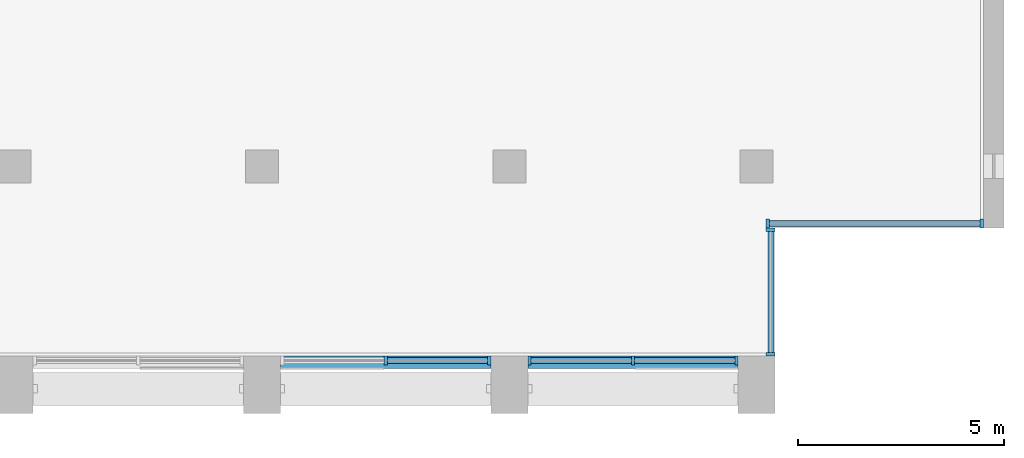
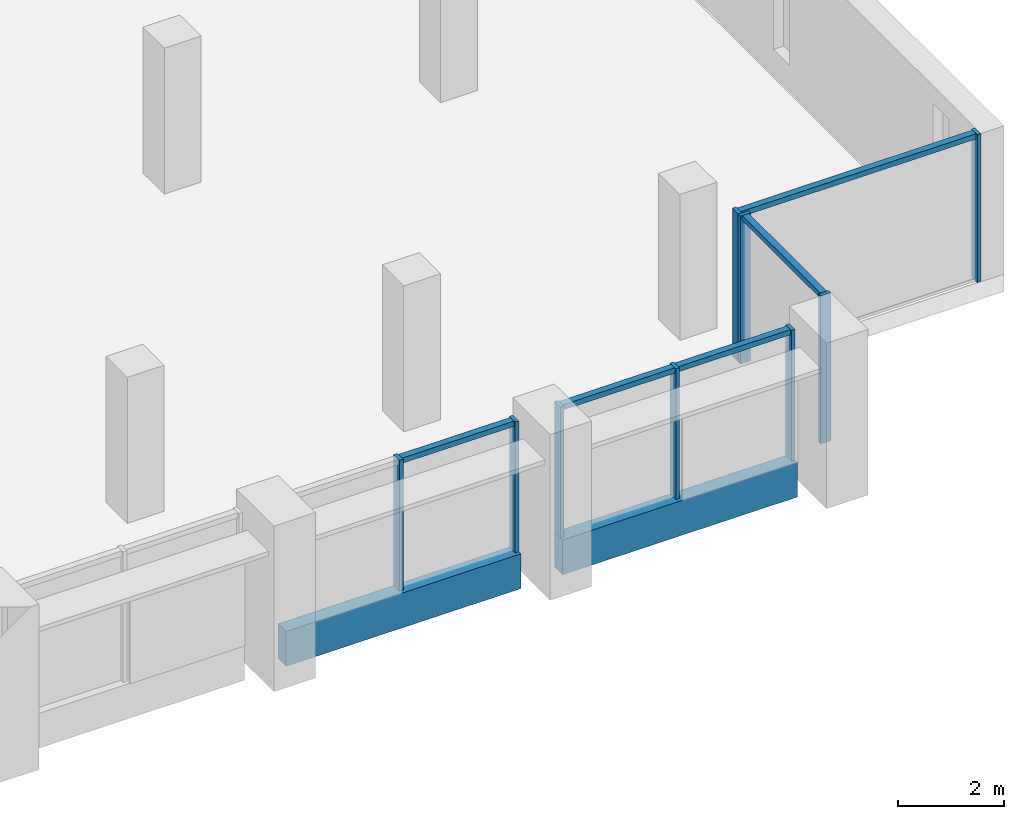
# One storey, part 3 of 14: 14 members, 2 beams, 4 elements without a shape of their own.
"""IFC4 building model written with IfcOpenShell, lengths in metres."""

from ifc_helpers import new_model, si_unit, direction, frame, origin, origin_2d, place, context, subcontext, project, spatial, rectangle, extrude, material, material_profile, profile_set, type_object, element, aggregate, save


model = new_model("IFC4")

# Units and contexts
model_context = context("Model", 3, precision=1e-05, world=origin(), true_north=direction((0.0, 1.0)))
body_context = subcontext(model_context, "Body", "Model", "MODEL_VIEW")
ifc_project = project(units=[si_unit("LENGTHUNIT", "METRE"), si_unit("AREAUNIT", "SQUARE_METRE"), si_unit("VOLUMEUNIT", "CUBIC_METRE"), si_unit("PLANEANGLEUNIT", "RADIAN"), si_unit("MASSUNIT", "GRAM", prefix="KILO")], contexts=[model_context])

# Site, building, storey
site_placement = place(None, origin())
site = spatial("IfcSite", under=ifc_project, at=site_placement, CompositionType="ELEMENT")
building_placement = place(site_placement, origin())
building = spatial("IfcBuilding", under=site, at=building_placement, Name="Calvaro Tower", CompositionType="ELEMENT")
storey_placement = place(building_placement, frame((0.0, 0.0, 254.550048828125)))
storey = spatial("IfcBuildingStorey", under=building, at=storey_placement, Name="L64", CompositionType="ELEMENT", Elevation=254.550048828125)

# Curtain wall, members
ifc_material_1 = material(Name="Anodised aluminium", Category="aluminium")
curtain_wall_type = type_object("IfcCurtainWallType", Name="Executive curtain wall", PredefinedType="NOTDEFINED", material=ifc_material_1)
curtain_wall_1_placement = place(storey_placement, origin())
curtain_wall_1 = element("IfcCurtainWall", 1, at=curtain_wall_1_placement, inside=storey, type_object=curtain_wall_type, Name="CW4 south curtain wall", PredefinedType="NOTDEFINED")
ifc_material_2 = material(Name="Anodised aluminium", Category="aluminium")
ifc_material_profile_1 = material_profile(ifc_material_2, rectangle(XDim=0.219970703125, YDim=0.080078125, at=origin_2d()), Name="Mullion S4 80 x 220")
ifc_profile_set_1 = profile_set([ifc_material_profile_1], Name="Anodised aluminium")
member_type_1 = type_object("IfcMemberType", Name="Mullion S4 80 x 220", PredefinedType="MULLION", material=ifc_profile_set_1)
member_1_placement = place(storey_placement, frame((51.0, 5.2900390625, 0.0), z_axis=(0.0, 0.0, 1.0), x_axis=(0.0, 1.0, 0.0)))
member_1 = element("IfcMember", 2, at=member_1_placement, type_object=member_type_1, Name="CW4 mullion 2", PredefinedType="MULLION", context=body_context, shape_type="SweptSolid", body=[
    extrude(rectangle(XDim=0.219970703125, YDim=0.080078125, at=origin_2d()), origin(), (0.0, 0.0, 1.0), 3.0),
])
member_2_placement = place(storey_placement, frame((53.510009765625, 5.2900390625, 0.0), z_axis=(0.0, 0.0, 1.0), x_axis=(0.0, 1.0, 0.0)))
member_2 = element("IfcMember", 3, at=member_2_placement, type_object=member_type_1, Name="CW4 mullion 3", PredefinedType="MULLION", context=body_context, shape_type="SweptSolid", body=[
    extrude(rectangle(XDim=0.219970703125, YDim=0.080078125, at=origin_2d()), origin(), (0.0, 0.0, 1.0), 3.0),
])

curtain_wall_2_placement = place(storey_placement, origin())
curtain_wall_2 = element("IfcCurtainWall", 4, at=curtain_wall_2_placement, inside=storey, type_object=curtain_wall_type, Name="CW4 south curtain wall", PredefinedType="NOTDEFINED")
member_3_placement = place(storey_placement, frame((54.489990234375, 5.2900390625, 0.0), z_axis=(0.0, 0.0, 1.0), x_axis=(0.0, 1.0, 0.0)))
member_3 = element("IfcMember", 5, at=member_3_placement, type_object=member_type_1, Name="CW4 mullion 1", PredefinedType="MULLION", context=body_context, shape_type="SweptSolid", body=[
    extrude(rectangle(XDim=0.219970703125, YDim=0.080078125, at=origin_2d()), origin(), (0.0, 0.0, 1.0), 3.0),
])
member_4_placement = place(storey_placement, frame((57.0, 5.2900390625, 0.0), z_axis=(0.0, 0.0, 1.0), x_axis=(0.0, 1.0, 0.0)))
member_4 = element("IfcMember", 6, at=member_4_placement, type_object=member_type_1, Name="CW4 mullion 2", PredefinedType="MULLION", context=body_context, shape_type="SweptSolid", body=[
    extrude(rectangle(XDim=0.219970703125, YDim=0.080078125, at=origin_2d()), origin(), (0.0, 0.0, 1.0), 3.0),
])
member_5_placement = place(storey_placement, frame((59.510009765625, 5.2900390625, 0.0), z_axis=(0.0, 0.0, 1.0), x_axis=(0.0, 1.0, 0.0)))
member_5 = element("IfcMember", 7, at=member_5_placement, type_object=member_type_1, Name="CW4 mullion 3", PredefinedType="MULLION", context=body_context, shape_type="SweptSolid", body=[
    extrude(rectangle(XDim=0.219970703125, YDim=0.080078125, at=origin_2d()), origin(), (0.0, 0.0, 1.0), 3.0),
])

curtain_wall_3_placement = place(storey_placement, origin())
curtain_wall_3 = element("IfcCurtainWall", 8, at=curtain_wall_3_placement, inside=storey, type_object=curtain_wall_type, Name="CW4 corner curtain wall", PredefinedType="NOTDEFINED")
member_6_placement = place(storey_placement, frame((60.340087890625, 5.43994140625, 0.0), z_axis=(0.0, 0.0, 1.0), x_axis=(-1.0, 0.0, 0.0)))
member_6 = element("IfcMember", 9, at=member_6_placement, type_object=member_type_1, Name="CW4 mullion 1", PredefinedType="MULLION", context=body_context, shape_type="SweptSolid", body=[
    extrude(rectangle(XDim=0.219970703125, YDim=0.080078125, at=origin_2d()), origin(), (0.0, 0.0, 1.0), 3.39990234375),
])
member_7_placement = place(storey_placement, frame((60.340087890625, 8.4599609375, 0.0), z_axis=(0.0, 0.0, 1.0), x_axis=(-1.0, 0.0, 0.0)))
member_7 = element("IfcMember", 10, at=member_7_placement, type_object=member_type_1, Name="CW4 mullion 2", PredefinedType="MULLION", context=body_context, shape_type="SweptSolid", body=[
    extrude(rectangle(XDim=0.219970703125, YDim=0.080078125, at=origin_2d()), origin(), (0.0, 0.0, 1.0), 3.39990234375),
])

curtain_wall_4_placement = place(storey_placement, origin())
curtain_wall_4 = element("IfcCurtainWall", 11, at=curtain_wall_4_placement, inside=storey, type_object=curtain_wall_type, Name="CW4 corner curtain wall", PredefinedType="NOTDEFINED")
member_8_placement = place(storey_placement, frame((60.27001953125, 8.610107421875, 0.0), z_axis=(0.0, 0.0, 1.0), x_axis=(0.0, 1.0, 0.0)))
member_8 = element("IfcMember", 12, at=member_8_placement, type_object=member_type_1, Name="CW4 mullion 1", PredefinedType="MULLION", context=body_context, shape_type="SweptSolid", body=[
    extrude(rectangle(XDim=0.219970703125, YDim=0.080078125, at=origin_2d()), origin(), (0.0, 0.0, 1.0), 3.39990234375),
])
member_9_placement = place(storey_placement, frame((65.4599609375, 8.610107421875, 0.0), z_axis=(0.0, 0.0, 1.0), x_axis=(0.0, 1.0, 0.0)))
member_9 = element("IfcMember", 13, at=member_9_placement, type_object=member_type_1, Name="CW4 mullion 2", PredefinedType="MULLION", context=body_context, shape_type="SweptSolid", body=[
    extrude(rectangle(XDim=0.219970703125, YDim=0.080078125, at=origin_2d()), origin(), (0.0, 0.0, 1.0), 3.39990234375),
])

# Beams
ifc_material_3 = material(Name="Concrete C50/60 precast", Category="concrete")
ifc_material_profile_2 = material_profile(ifc_material_3, rectangle(XDim=0.300048828125, YDim=0.800048828125, at=origin_2d()), Name="RC 300x800")
ifc_profile_set_2 = profile_set([ifc_material_profile_2], Name="Concrete C50/60 precast")
beam_type = type_object("IfcBeamType", Name="Spandrel beam 300x800 C50/60", PredefinedType="SPANDREL", material=ifc_profile_set_2)
for number, where, z_axis, x_axis, name in (
    (14, (48.449951171875, 5.25, -0.400146484375), (1.0, 0.0, 0.0), (0.0, 1.0, 0.0), "Spandrel beam"),
    (15, (54.449951171875, 5.25, -0.400146484375), (1.0, 0.0, 0.0), (0.0, 1.0, 0.0), "Spandrel beam"),
):
    element("IfcBeam", number, at=place(storey_placement, frame(where, z_axis=z_axis, x_axis=x_axis)), inside=storey, type_object=beam_type, Name=name, PredefinedType="SPANDREL", context=body_context, shape_type="SweptSolid", body=[
        extrude(rectangle(XDim=0.300048828125, YDim=0.800048828125, at=origin_2d()), origin(), (0.0, 0.0, 1.0), 5.10009765625),
    ])

# Member
ifc_material_4 = material(Name="Anodised aluminium", Category="aluminium")
ifc_material_profile_3 = material_profile(ifc_material_4, rectangle(XDim=0.139892578125, YDim=0.1201171875, at=origin_2d()), Name="Transom S4 120 x 140")
ifc_profile_set_3 = profile_set([ifc_material_profile_3], Name="Anodised aluminium")
member_type_2 = type_object("IfcMemberType", Name="Transom S4 120 x 140", PredefinedType="USERDEFINED", material=ifc_profile_set_3)
member_10_placement = place(storey_placement, frame((51.0400390625, 5.2900390625, 2.93994140625), z_axis=(1.0, 0.0, 0.0), x_axis=(0.0, 1.0, 0.0)))
member_10 = element("IfcMember", 16, at=member_10_placement, type_object=member_type_2, Name="CW4 transom 2.1", ObjectType="TRANSOM", PredefinedType="USERDEFINED", context=body_context, shape_type="SweptSolid", body=[
    extrude(rectangle(XDim=0.139892578125, YDim=0.1201171875, at=origin_2d()), origin(), (0.0, 0.0, 1.0), 2.429931640625),
])

aggregate(curtain_wall_1, [member_1, member_2, member_10])

member_11_placement = place(storey_placement, frame((54.530029296875, 5.2900390625, 2.93994140625), z_axis=(1.0, 0.0, 0.0), x_axis=(0.0, 1.0, 0.0)))
member_11 = element("IfcMember", 17, at=member_11_placement, type_object=member_type_2, Name="CW4 transom 1.1", ObjectType="TRANSOM", PredefinedType="USERDEFINED", context=body_context, shape_type="SweptSolid", body=[
    extrude(rectangle(XDim=0.139892578125, YDim=0.1201171875, at=origin_2d()), origin(), (0.0, 0.0, 1.0), 2.429931640625),
])

member_12_placement = place(storey_placement, frame((57.0400390625, 5.2900390625, 2.93994140625), z_axis=(1.0, 0.0, 0.0), x_axis=(0.0, 1.0, 0.0)))
member_12 = element("IfcMember", 18, at=member_12_placement, type_object=member_type_2, Name="CW4 transom 2.1", ObjectType="TRANSOM", PredefinedType="USERDEFINED", context=body_context, shape_type="SweptSolid", body=[
    extrude(rectangle(XDim=0.139892578125, YDim=0.1201171875, at=origin_2d()), origin(), (0.0, 0.0, 1.0), 2.429931640625),
])

aggregate(curtain_wall_2, [member_3, member_4, member_5, member_11, member_12])

member_13_placement = place(storey_placement, frame((60.340087890625, 5.47998046875, 3.33984375), z_axis=(0.0, 1.0, 0.0), x_axis=(-1.0, 0.0, 0.0)))
member_13 = element("IfcMember", 19, at=member_13_placement, type_object=member_type_2, Name="CW4 transom 1.1", ObjectType="TRANSOM", PredefinedType="USERDEFINED", context=body_context, shape_type="SweptSolid", body=[
    extrude(rectangle(XDim=0.139892578125, YDim=0.1201171875, at=origin_2d()), origin(), (0.0, 0.0, 1.0), 2.93994140625),
])

aggregate(curtain_wall_3, [member_6, member_7, member_13])

member_14_placement = place(storey_placement, frame((60.31005859375, 8.610107421875, 3.33984375), z_axis=(1.0, 0.0, 0.0), x_axis=(0.0, 1.0, 0.0)))
member_14 = element("IfcMember", 20, at=member_14_placement, type_object=member_type_2, Name="CW4 transom 1.1", ObjectType="TRANSOM", PredefinedType="USERDEFINED", context=body_context, shape_type="SweptSolid", body=[
    extrude(rectangle(XDim=0.139892578125, YDim=0.1201171875, at=origin_2d()), origin(), (0.0, 0.0, 1.0), 5.10986328125),
])

aggregate(curtain_wall_4, [member_8, member_9, member_14])

save(model, "model.ifc")
